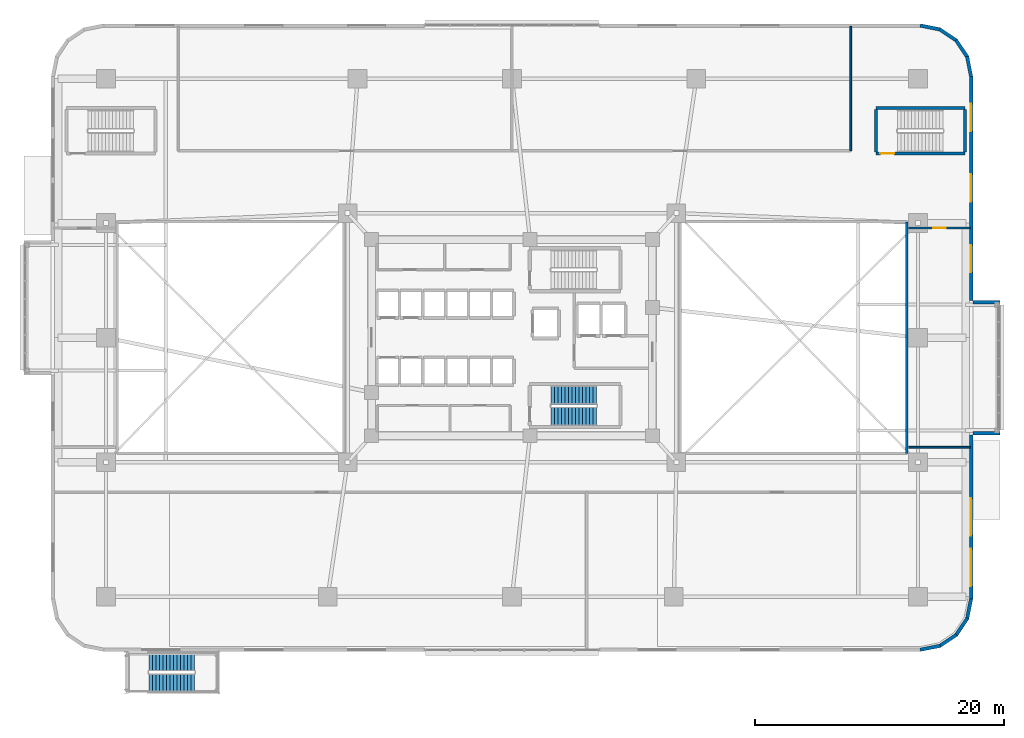
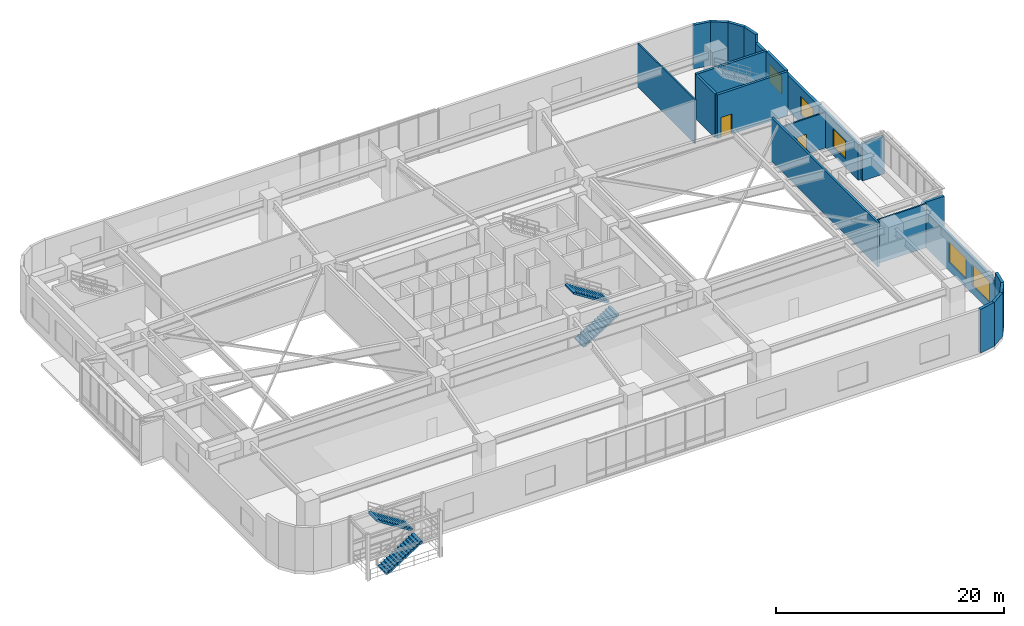
# One storey, part 21 of 26: 20 walls, 5 windows, 4 stair flights, 2 doors, 7 openings, 2 elements without a shape of their own.
"""IFC4 building model written with IfcOpenShell, lengths in metres."""

from ifc_helpers import new_model, si_unit, direction, frame, frame_2d, origin, place, context, subcontext, project, spatial, polyline, rectangle, outline, extrude, material, layer, layer_set, type_object, element, fill, aggregate, save


model = new_model("IFC4")

# Units and contexts
model_context = context("Model", 3, precision=1e-05, world=origin(), true_north=direction((0.0, 1.0)))
body_context = subcontext(model_context, "Body", "Model", "MODEL_VIEW")
ifc_project = project(units=[si_unit("LENGTHUNIT", "METRE"), si_unit("AREAUNIT", "SQUARE_METRE"), si_unit("VOLUMEUNIT", "CUBIC_METRE"), si_unit("PLANEANGLEUNIT", "RADIAN"), si_unit("MASSUNIT", "GRAM", prefix="KILO")], contexts=[model_context])

# Site, building, storey
site_placement = place(None, origin())
site = spatial("IfcSite", under=ifc_project, at=site_placement, CompositionType="ELEMENT")
building_placement = place(site_placement, origin())
building = spatial("IfcBuilding", under=site, at=building_placement, Name="Zulverin Broadcast Headquarters", CompositionType="ELEMENT")
storey_placement = place(building_placement, frame((0.0, 0.0, 15.0)))
storey = spatial("IfcBuildingStorey", under=building, at=storey_placement, Name="L03", CompositionType="ELEMENT", Elevation=15.0)

# Wall
ifc_material_1 = material(Name="Acoustic drywall steel stud", Category="steel")
ifc_layer_1 = layer(ifc_material_1, 0.199951171875, Name="Acoustic drywall steel stud", Category="steel")
ifc_layer_set_1 = layer_set([ifc_layer_1], Name="Acoustic drywall steel stud")
wall_type_1 = type_object("IfcWallType", Name="WL-ACOU-200", PredefinedType="PARTITIONING", material=ifc_layer_set_1)
wall_1_placement = place(storey_placement, frame((68.699951171875, 15.89990234375, 0.0), z_axis=(0.0, 0.0, 1.0), x_axis=(0.0, 1.0, 0.0)))
element("IfcWall", 1, at=wall_1_placement, inside=storey, type_object=wall_type_1, Name="L03 EAST Studio Void E Wall", PredefinedType="PARTITIONING", context=body_context, shape_type="SweptSolid", body=[
    extrude(rectangle(XDim=18.60009765625, YDim=0.199951171875, at=frame_2d((9.300048828125, 0.0))), origin(), (0.0, 0.0, 1.0), 4.679931640625),
])

# Wall, openings, windows
ifc_material_2 = material(Name="Insulated pale-metal clad concrete spandrel C40/50", Category="concrete")
ifc_layer_2 = layer(ifc_material_2, 0.280029296875, Name="Insulated pale-metal clad concrete spandrel C40/50", Category="concrete")
ifc_layer_set_2 = layer_set([ifc_layer_2], Name="Insulated pale-metal clad concrete spandrel C40/50")
wall_type_2 = type_object("IfcWallType", Name="WL-EXT-280", PredefinedType="STANDARD", material=ifc_layer_set_2)
wall_2_placement = place(storey_placement, frame((73.860107421875, 4.199951171875, 0.0), z_axis=(0.0, 0.0, 1.0), x_axis=(0.0, 1.0, 0.0)))
wall_2 = element("IfcWall", 2, at=wall_2_placement, inside=storey, type_object=wall_type_2, Name="L03 Podium Spandrel Wall 1-1", PredefinedType="STANDARD", context=body_context, shape_type="SweptSolid", body=[
    extrude(rectangle(XDim=13.199951171875, YDim=0.280029296875, at=frame_2d((6.60009765625, 0.0))), origin(), (0.0, 0.0, 1.0), 3.780029296875),
])
opening_1_placement = place(wall_2_placement, frame((1.033203125, 0.0, 0.89990234375)))
opening_1 = element("IfcOpeningElement", 3, at=opening_1_placement, cuts=wall_2, Name="Opening W-L03-E1S11", PredefinedType="OPENING", context=body_context, shape_type="SweptSolid", body=[
    extrude(rectangle(XDim=3.0, YDim=2.199951171875, at=frame_2d((1.5, 1.10009765625))), frame((0.0, 0.14990234375, 0.0), z_axis=(0.0, -1.0, 0.0), x_axis=(1.0, 0.0, 0.0)), (0.0, 0.0, 1.0), 0.300048828125),
])
opening_2_placement = place(wall_2_placement, frame((5.10009765625, 0.0, 0.89990234375)))
opening_2 = element("IfcOpeningElement", 4, at=opening_2_placement, cuts=wall_2, Name="Opening W-L03-E1S12", PredefinedType="OPENING", context=body_context, shape_type="SweptSolid", body=[
    extrude(rectangle(XDim=3.0, YDim=2.199951171875, at=frame_2d((1.5, 1.10009765625))), frame((0.0, 0.14990234375, 0.0), z_axis=(0.0, -1.0, 0.0), x_axis=(1.0, 0.0, 0.0)), (0.0, 0.0, 1.0), 0.300048828125),
])
ifc_material_3 = material(Name="Pale anodized aluminium frame with solar-control low-E double glazing", Category="aluminium")
window_type_1 = type_object("IfcWindowType", Name="WIN-POD-3000", PartitioningType="SINGLE_PANEL", PredefinedType="WINDOW", material=ifc_material_3)
window_1_placement = place(opening_1_placement, origin())
window_1 = element("IfcWindow", 5, at=window_1_placement, inside=storey, type_object=window_type_1, Name="L03 Podium Ribbon Window 1-1 1", OverallHeight=2.199951171875, OverallWidth=3.0, PartitioningType="SINGLE_PANEL", PredefinedType="WINDOW", context=body_context, shape_type="SweptSolid", body=[
    extrude(rectangle(XDim=3.0, YDim=2.199951171875, at=frame_2d((1.5, 1.10009765625))), frame((0.0, 0.030029296875, 0.0), z_axis=(0.0, -1.0, 0.0), x_axis=(1.0, 0.0, 0.0)), (0.0, 0.0, 1.0), 0.06005859375),
])
fill(opening_1, window_1)
window_2_placement = place(opening_2_placement, origin())
window_2 = element("IfcWindow", 6, at=window_2_placement, inside=storey, type_object=window_type_1, Name="L03 Podium Ribbon Window 1-1 2", OverallHeight=2.199951171875, OverallWidth=3.0, PartitioningType="SINGLE_PANEL", PredefinedType="WINDOW", context=body_context, shape_type="SweptSolid", body=[
    extrude(rectangle(XDim=3.0, YDim=2.199951171875, at=frame_2d((1.5, 1.10009765625))), frame((0.0, 0.030029296875, 0.0), z_axis=(0.0, -1.0, 0.0), x_axis=(1.0, 0.0, 0.0)), (0.0, 0.0, 1.0), 0.06005859375),
])
fill(opening_2, window_2)

wall_3_placement = place(storey_placement, frame((73.860107421875, 28.199951171875, 0.0), z_axis=(0.0, 0.0, 1.0), x_axis=(0.0, 1.0, 0.0)))
wall_3 = element("IfcWall", 7, at=wall_3_placement, inside=storey, type_object=wall_type_2, Name="L03 Podium Spandrel Wall 1-2", PredefinedType="STANDARD", context=body_context, shape_type="SweptSolid", body=[
    extrude(rectangle(XDim=18.0, YDim=0.280029296875, at=frame_2d((9.0, 0.0))), origin(), (0.0, 0.0, 1.0), 3.780029296875),
])
opening_3_placement = place(wall_3_placement, frame((2.2333984375, 0.0, 0.89990234375)))
opening_3 = element("IfcOpeningElement", 8, at=opening_3_placement, cuts=wall_3, Name="Opening W-L03-E1S21", PredefinedType="OPENING", context=body_context, shape_type="SweptSolid", body=[
    extrude(rectangle(XDim=2.199951171875, YDim=1.949951171875, at=frame_2d((1.10009765625, 0.97509765625))), frame((0.0, 0.14990234375, 0.0), z_axis=(0.0, -1.0, 0.0), x_axis=(1.0, 0.0, 0.0)), (0.0, 0.0, 1.0), 0.300048828125),
])
opening_4_placement = place(wall_3_placement, frame((7.89990234375, 0.0, 0.89990234375)))
opening_4 = element("IfcOpeningElement", 9, at=opening_4_placement, cuts=wall_3, Name="Opening W-L03-E1S22", PredefinedType="OPENING", context=body_context, shape_type="SweptSolid", body=[
    extrude(rectangle(XDim=2.199951171875, YDim=1.949951171875, at=frame_2d((1.10009765625, 0.97509765625))), frame((0.0, 0.14990234375, 0.0), z_axis=(0.0, -1.0, 0.0), x_axis=(1.0, 0.0, 0.0)), (0.0, 0.0, 1.0), 0.300048828125),
])
opening_5_placement = place(wall_3_placement, frame((13.566650390625, 0.0, 0.89990234375)))
opening_5 = element("IfcOpeningElement", 10, at=opening_5_placement, cuts=wall_3, Name="Opening W-L03-E1S23", PredefinedType="OPENING", context=body_context, shape_type="SweptSolid", body=[
    extrude(rectangle(XDim=2.199951171875, YDim=1.949951171875, at=frame_2d((1.10009765625, 0.97509765625))), frame((0.0, 0.14990234375, 0.0), z_axis=(0.0, -1.0, 0.0), x_axis=(1.0, 0.0, 0.0)), (0.0, 0.0, 1.0), 0.300048828125),
])
window_type_2 = type_object("IfcWindowType", Name="WIN-POD-2200", PartitioningType="SINGLE_PANEL", PredefinedType="WINDOW", material=ifc_material_3)
window_3_placement = place(opening_3_placement, origin())
window_3 = element("IfcWindow", 11, at=window_3_placement, inside=storey, type_object=window_type_2, Name="L03 Podium Ribbon Window 1-2 1", OverallHeight=1.949951171875, OverallWidth=2.199951171875, PartitioningType="SINGLE_PANEL", PredefinedType="WINDOW", context=body_context, shape_type="SweptSolid", body=[
    extrude(rectangle(XDim=2.199951171875, YDim=1.949951171875, at=frame_2d((1.10009765625, 0.97509765625))), frame((0.0, 0.030029296875, 0.0), z_axis=(0.0, -1.0, 0.0), x_axis=(1.0, 0.0, 0.0)), (0.0, 0.0, 1.0), 0.06005859375),
])
fill(opening_3, window_3)
window_4_placement = place(opening_4_placement, origin())
window_4 = element("IfcWindow", 12, at=window_4_placement, inside=storey, type_object=window_type_2, Name="L03 Podium Ribbon Window 1-2 2", OverallHeight=1.949951171875, OverallWidth=2.199951171875, PartitioningType="SINGLE_PANEL", PredefinedType="WINDOW", context=body_context, shape_type="SweptSolid", body=[
    extrude(rectangle(XDim=2.199951171875, YDim=1.949951171875, at=frame_2d((1.10009765625, 0.97509765625))), frame((0.0, 0.030029296875, 0.0), z_axis=(0.0, -1.0, 0.0), x_axis=(1.0, 0.0, 0.0)), (0.0, 0.0, 1.0), 0.06005859375),
])
fill(opening_4, window_4)
window_5_placement = place(opening_5_placement, origin())
window_5 = element("IfcWindow", 13, at=window_5_placement, inside=storey, type_object=window_type_2, Name="L03 Podium Ribbon Window 1-2 3", OverallHeight=1.949951171875, OverallWidth=2.199951171875, PartitioningType="SINGLE_PANEL", PredefinedType="WINDOW", context=body_context, shape_type="SweptSolid", body=[
    extrude(rectangle(XDim=2.199951171875, YDim=1.949951171875, at=frame_2d((1.10009765625, 0.97509765625))), frame((0.0, 0.030029296875, 0.0), z_axis=(0.0, -1.0, 0.0), x_axis=(1.0, 0.0, 0.0)), (0.0, 0.0, 1.0), 0.06005859375),
])
fill(opening_5, window_5)

# Walls
for number, where, z_axis, x_axis, name in (
    (14, (73.86279296875, 46.172607421875, 0.0), (0.0, 0.0, 1.0), (-0.195142046967, 0.980774990253, 0.0), "L03 Wind-Shaped Corner Spandrel Wall 1-1"),
    (15, (73.56396484375, 47.7294921875, 0.0), (0.0, 0.0, 1.0), (-0.555662407875, 0.831408015643, 0.0), "L03 Wind-Shaped Corner Spandrel Wall 1-2"),
):
    element("IfcWall", number, at=place(storey_placement, frame(where, z_axis=z_axis, x_axis=x_axis)), inside=storey, type_object=wall_type_2, Name=name, PredefinedType="STANDARD", context=body_context, shape_type="SweptSolid", body=[
        extrude(rectangle(XDim=1.638916015625, YDim=0.280029296875, at=frame_2d((0.8193359375, 0.0))), origin(), (0.0, 0.0, 1.0), 4.679931640625),
    ])
wall_4_placement = place(storey_placement, frame((72.69189453125, 49.053466796875, 0.0), z_axis=(0.0, 0.0, 1.0), x_axis=(-0.831430845238, 0.555628247651, 0.0)))
element("IfcWall", 16, at=wall_4_placement, inside=storey, type_object=wall_type_2, Name="L03 Wind-Shaped Corner Spandrel Wall 1-3", PredefinedType="STANDARD", context=body_context, shape_type="SweptSolid", body=[
    extrude(rectangle(XDim=1.638427734375, YDim=0.280029296875, at=frame_2d((0.8193359375, 0.0))), origin(), (0.0, 0.0, 1.0), 4.679931640625),
])
for number, where, z_axis, x_axis, name in (
    (17, (71.3798828125, 49.943115234375, 0.0), (0.0, 0.0, 1.0), (-0.980797825116, 0.195027244885, 0.0), "L03 Wind-Shaped Corner Spandrel Wall 1-4"),
    (18, (69.772705078125, 0.13720703125, 0.0), (0.0, 0.0, 1.0), (0.980769316421, 0.19517056122, 0.0), "L03 Wind-Shaped Corner Spandrel Wall 4-1"),
    (19, (71.32958984375, 0.43603515625, 0.0), (0.0, 0.0, 1.0), (0.831362010656, 0.555731236514, 0.0), "L03 Wind-Shaped Corner Spandrel Wall 4-2"),
    (20, (72.6533203125, 1.30810546875, 0.0), (0.0, 0.0, 1.0), (0.555731236514, 0.831362010656, 0.0), "L03 Wind-Shaped Corner Spandrel Wall 4-3"),
    (21, (73.54296875, 2.6201171875, 0.0), (0.0, 0.0, 1.0), (0.19517056122, 0.980769316421, 0.0), "L03 Wind-Shaped Corner Spandrel Wall 4-4"),
):
    element("IfcWall", number, at=place(storey_placement, frame(where, z_axis=z_axis, x_axis=x_axis)), inside=storey, type_object=wall_type_2, Name=name, PredefinedType="STANDARD", context=body_context, shape_type="SweptSolid", body=[
        extrude(rectangle(XDim=1.638671875, YDim=0.280029296875, at=frame_2d((0.8193359375, 0.0))), origin(), (0.0, 0.0, 1.0), 4.679931640625),
    ])
for number, where, z_axis, x_axis, name in (
    (22, (74.0, 17.5400390625, 0.0), (0.0, 0.0, 1.0), (1.0, 0.0, 0.0), "L03 Shifted Studio Box Cheek Wall SBOX_POD_UPPER_E1-S"),
    (23, (74.0, 28.06005859375, 0.0), (0.0, 0.0, 1.0), (1.0, 0.0, 0.0), "L03 Shifted Studio Box Cheek Wall SBOX_POD_UPPER_E1-N"),
):
    element("IfcWall", number, at=place(storey_placement, frame(where, z_axis=z_axis, x_axis=x_axis)), inside=storey, type_object=wall_type_2, Name=name, PredefinedType="STANDARD", context=body_context, shape_type="SweptSolid", body=[
        extrude(rectangle(XDim=2.199951171875, YDim=0.280029296875, at=frame_2d((1.10009765625, 0.0))), origin(), (0.0, 0.0, 1.0), 3.987060546875),
    ])
ifc_material_4 = material(Name="Fire-rated gypsum stud partition", Category="gypsum")
ifc_layer_3 = layer(ifc_material_4, 0.14990234375, Name="Fire-rated gypsum stud partition", Category="gypsum")
ifc_layer_set_3 = layer_set([ifc_layer_3], Name="Fire-rated gypsum stud partition")
wall_type_3 = type_object("IfcWallType", Name="WL-PART-150", PredefinedType="PARTITIONING", material=ifc_layer_set_3)
wall_5_placement = place(storey_placement, frame((64.199951171875, 40.199951171875, 0.0), z_axis=(0.0, 0.0, 1.0), x_axis=(0.0, 1.0, 0.0)))
element("IfcWall", 24, at=wall_5_placement, inside=storey, type_object=wall_type_3, Name="L03 Gallery Partition Wall CG-02", PredefinedType="PARTITIONING", context=body_context, shape_type="SweptSolid", body=[
    extrude(rectangle(XDim=9.9951171875, YDim=0.14990234375, at=frame_2d((4.99755859375, 0.0))), origin(), (0.0, 0.0, 1.0), 4.679931640625),
])
wall_6_placement = place(storey_placement, frame((68.85009765625, 16.39990234375, 0.0), z_axis=(0.0, 0.0, 1.0), x_axis=(1.0, 0.0, 0.0)))
element("IfcWall", 25, at=wall_6_placement, inside=storey, type_object=wall_type_3, Name="L03 Gallery Partition Wall CG-09", PredefinedType="PARTITIONING", context=body_context, shape_type="SweptSolid", body=[
    extrude(rectangle(XDim=4.94482421875, YDim=0.14990234375, at=frame_2d((2.472412109375, 0.0))), origin(), (0.0, 0.0, 1.0), 4.679931640625),
])

# Wall, opening, door
wall_7_placement = place(storey_placement, frame((68.85009765625, 34.0, 0.0), z_axis=(0.0, 0.0, 1.0), x_axis=(1.0, 0.0, 0.0)))
wall_7 = element("IfcWall", 26, at=wall_7_placement, inside=storey, type_object=wall_type_3, Name="L03 Gallery Partition Wall CG-11", PredefinedType="PARTITIONING", context=body_context, shape_type="SweptSolid", body=[
    extrude(rectangle(XDim=4.94482421875, YDim=0.14990234375, at=frame_2d((2.472412109375, 0.0))), origin(), (0.0, 0.0, 1.0), 3.780029296875),
])
opening_6_placement = place(wall_7_placement, frame((1.972412109375, 0.0, 0.0)))
opening_6 = element("IfcOpeningElement", 27, at=opening_6_placement, cuts=wall_7, Name="Opening D-L03-GALE", PredefinedType="OPENING", context=body_context, shape_type="SweptSolid", body=[
    extrude(rectangle(XDim=1.0, YDim=2.1201171875, at=frame_2d((0.5, 1.06005859375))), frame((0.0, 0.0849609375, 0.0), z_axis=(0.0, -1.0, 0.0), x_axis=(1.0, 0.0, 0.0)), (0.0, 0.0, 1.0), 0.169921875),
])
ifc_material_5 = material(Name="Hardwood veneer acoustic leaf", Category="wood")
door_type_1 = type_object("IfcDoorType", Name="DR-OFF-1000", OperationType="SINGLE_SWING_LEFT", PredefinedType="DOOR", material=ifc_material_5)
door_1_placement = place(opening_6_placement, origin())
door_1 = element("IfcDoor", 28, at=door_1_placement, inside=storey, type_object=door_type_1, Name="L03 East Studio Control Gallery Door", OperationType="SINGLE_SWING_RIGHT", OverallHeight=2.1201171875, OverallWidth=1.0, PredefinedType="DOOR", context=body_context, shape_type="SweptSolid", body=[
    extrude(rectangle(XDim=1.0, YDim=2.1201171875, at=frame_2d((0.5, 1.06005859375))), frame((0.0, 0.02490234375, 0.0), z_axis=(0.0, -1.0, 0.0), x_axis=(1.0, 0.0, 0.0)), (0.0, 0.0, 1.0), 0.050048828125),
])
fill(opening_6, door_1)

ifc_material_6 = material(Name="Concrete C50/60", Category="concrete")
ifc_layer_4 = layer(ifc_material_6, 0.25, Name="Concrete C50/60", Category="concrete")
ifc_layer_set_4 = layer_set([ifc_layer_4], Name="Concrete C50/60")
wall_type_4 = type_object("IfcWallType", Name="WL-SHAFT-250", PredefinedType="SHEAR", material=ifc_layer_set_4)
wall_8_placement = place(storey_placement, frame((66.22509765625, 39.97509765625, 0.0), z_axis=(0.0, 0.0, 1.0), x_axis=(1.0, 0.0, 0.0)))
wall_8 = element("IfcWall", 29, at=wall_8_placement, inside=storey, type_object=wall_type_4, Name="L03 ST-4 Enclosure Wall S", PredefinedType="SHEAR", context=body_context, shape_type="SweptSolid", body=[
    extrude(rectangle(XDim=7.14990234375, YDim=0.25, at=frame_2d((3.574951171875, 0.0))), origin(), (0.0, 0.0, 1.0), 4.679931640625),
])
opening_7_placement = place(wall_8_placement, frame((0.35009765625, 0.0, 0.0)))
opening_7 = element("IfcOpeningElement", 30, at=opening_7_placement, cuts=wall_8, Name="Opening D-L03-ST-4", PredefinedType="OPENING", context=body_context, shape_type="SweptSolid", body=[
    extrude(rectangle(XDim=1.10009765625, YDim=2.14990234375, at=frame_2d((0.550048828125, 1.074951171875))), frame((0.0, 0.135009765625, 0.0), z_axis=(0.0, -1.0, 0.0), x_axis=(1.0, 0.0, 0.0)), (0.0, 0.0, 1.0), 0.27001953125),
])
ifc_material_7 = material(Name="Fire-rated steel leaf and frame", Category="steel")
door_type_2 = type_object("IfcDoorType", Name="DR-STAIR-1100", OperationType="SINGLE_SWING_LEFT", PredefinedType="DOOR", material=ifc_material_7)
door_2_placement = place(opening_7_placement, origin())
door_2 = element("IfcDoor", 31, at=door_2_placement, inside=storey, type_object=door_type_2, Name="L03 Exit Stair ST-4 Fire Door", OperationType="SINGLE_SWING_RIGHT", OverallHeight=2.14990234375, OverallWidth=1.10009765625, PredefinedType="DOOR", context=body_context, shape_type="SweptSolid", body=[
    extrude(rectangle(XDim=1.10009765625, YDim=2.14990234375, at=frame_2d((0.550048828125, 1.074951171875))), frame((0.0, 0.02490234375, 0.0), z_axis=(0.0, -1.0, 0.0), x_axis=(1.0, 0.0, 0.0)), (0.0, 0.0, 1.0), 0.050048828125),
])
fill(opening_7, door_2)

# Walls
wall_9_placement = place(storey_placement, frame((66.22509765625, 43.625, 0.0), z_axis=(0.0, 0.0, 1.0), x_axis=(1.0, 0.0, 0.0)))
element("IfcWall", 32, at=wall_9_placement, inside=storey, type_object=wall_type_4, Name="L03 ST-4 Enclosure Wall N", PredefinedType="SHEAR", context=body_context, shape_type="SweptSolid", body=[
    extrude(rectangle(XDim=7.14990234375, YDim=0.25, at=frame_2d((3.574951171875, 0.0))), origin(), (0.0, 0.0, 1.0), 4.679931640625),
])
for number, where, z_axis, x_axis, name in (
    (33, (66.22509765625, 40.10009765625, 0.0), (0.0, 0.0, 1.0), (0.0, 1.0, 0.0), "L03 ST-4 Enclosure Wall W"),
    (34, (73.375, 40.10009765625, 0.0), (0.0, 0.0, 1.0), (0.0, 1.0, 0.0), "L03 ST-4 Enclosure Wall E"),
):
    element("IfcWall", number, at=place(storey_placement, frame(where, z_axis=z_axis, x_axis=x_axis)), inside=storey, type_object=wall_type_4, Name=name, PredefinedType="SHEAR", context=body_context, shape_type="SweptSolid", body=[
        extrude(rectangle(XDim=3.39990234375, YDim=0.25, at=frame_2d((1.699951171875, 0.0))), origin(), (0.0, 0.0, 1.0), 4.679931640625),
    ])

# Stair, stair flights
ifc_material_8 = material(Name="Concrete C40/50", Category="concrete")
stair_type_1 = type_object("IfcStairType", Name="ST-CORE-1500", PredefinedType="HALF_TURN_STAIR", material=ifc_material_8)
stair_1_placement = place(storey_placement, origin())
stair_1 = element("IfcStair", 35, at=stair_1_placement, inside=storey, type_object=stair_type_1, Name="L03 Core Exit Stair ST-2", PredefinedType="HALF_TURN_STAIR")
stair_flight_type_1 = type_object("IfcStairFlightType", Name="SF-CORE-1500", PredefinedType="STRAIGHT", material=ifc_material_8)
stair_flight_1_placement = place(storey_placement, frame((40.1298828125, 18.89990234375, 0.0), z_axis=(0.0, 0.0, 1.0), x_axis=(1.0, 0.0, 0.0)))
stair_flight_1 = element("IfcStairFlight", 36, at=stair_flight_1_placement, type_object=stair_flight_type_1, Name="ST-2 flight 1", NumberOfRisers=14, NumberOfTreads=13, PredefinedType="STRAIGHT", RiserHeight=0.178571429, TreadLength=0.28, context=body_context, shape_type="SweptSolid", body=[
    extrude(outline(polyline([(0.0, 0.0), (0.0, 0.178466796875), (0.280029296875, 0.178466796875), (0.280029296875, 0.357177734375), (0.56005859375, 0.357177734375), (0.56005859375, 0.53564453125), (0.840087890625, 0.53564453125), (0.840087890625, 0.71435546875), (1.1201171875, 0.71435546875), (1.1201171875, 0.892822265625), (1.39990234375, 0.892822265625), (1.39990234375, 1.071533203125), (1.679931640625, 1.071533203125), (1.679931640625, 1.25), (1.9599609375, 1.25), (1.9599609375, 1.428466796875), (2.239990234375, 1.428466796875), (2.239990234375, 1.607177734375), (2.52001953125, 1.607177734375), (2.52001953125, 1.78564453125), (2.800048828125, 1.78564453125), (2.800048828125, 1.96435546875), (3.080078125, 1.96435546875), (3.080078125, 2.142822265625), (3.360107421875, 2.142822265625), (3.360107421875, 2.321533203125), (3.639892578125, 2.321533203125), (3.639892578125, 2.5), (3.639892578125, 2.1435546875), (0.27880859375, 0.0), (0.0, 0.0)])), frame((0.0, 0.75, 0.0), z_axis=(0.0, -1.0, 0.0), x_axis=(1.0, 0.0, 0.0)), (0.0, 0.0, 1.0), 1.5),
])
stair_flight_2_placement = place(storey_placement, frame((43.77001953125, 20.60009765625, 2.5), z_axis=(0.0, 0.0, 1.0), x_axis=(-1.0, 0.0, 0.0)))
stair_flight_2 = element("IfcStairFlight", 37, at=stair_flight_2_placement, type_object=stair_flight_type_1, Name="ST-2 flight 2", NumberOfRisers=14, NumberOfTreads=13, PredefinedType="STRAIGHT", RiserHeight=0.178571429, TreadLength=0.28, context=body_context, shape_type="SweptSolid", body=[
    extrude(outline(polyline([(0.0, 0.0), (0.0, 0.178466796875), (0.280029296875, 0.178466796875), (0.280029296875, 0.357177734375), (0.56005859375, 0.357177734375), (0.56005859375, 0.53564453125), (0.840087890625, 0.53564453125), (0.840087890625, 0.71435546875), (1.1201171875, 0.71435546875), (1.1201171875, 0.892822265625), (1.39990234375, 0.892822265625), (1.39990234375, 1.071533203125), (1.679931640625, 1.071533203125), (1.679931640625, 1.25), (1.9599609375, 1.25), (1.9599609375, 1.428466796875), (2.239990234375, 1.428466796875), (2.239990234375, 1.607177734375), (2.52001953125, 1.607177734375), (2.52001953125, 1.78564453125), (2.800048828125, 1.78564453125), (2.800048828125, 1.96435546875), (3.080078125, 1.96435546875), (3.080078125, 2.142822265625), (3.360107421875, 2.142822265625), (3.360107421875, 2.321533203125), (3.639892578125, 2.321533203125), (3.639892578125, 2.5), (3.639892578125, 2.1435546875), (0.27880859375, 0.0), (0.0, 0.0)])), frame((0.0, 0.75, 0.0), z_axis=(0.0, -1.0, 0.0), x_axis=(1.0, 0.0, 0.0)), (0.0, 0.0, 1.0), 1.5),
])
aggregate(stair_1, [stair_flight_1, stair_flight_2])

stair_type_2 = type_object("IfcStairType", Name="ST-GDN-1500", PredefinedType="HALF_TURN_STAIR", material=ifc_material_8)
stair_2_placement = place(storey_placement, origin())
stair_2 = element("IfcStair", 38, at=stair_2_placement, inside=storey, type_object=stair_type_2, Name="L03 Exterior Public Garden Stair ST-5", PredefinedType="HALF_TURN_STAIR")
stair_flight_type_2 = type_object("IfcStairFlightType", Name="SF-GDN-1500", PredefinedType="STRAIGHT", material=ifc_material_8)
stair_flight_3_placement = place(storey_placement, frame((7.85009765625, -2.530029296875, 0.0), z_axis=(0.0, 0.0, 1.0), x_axis=(1.0, 0.0, 0.0)))
stair_flight_3 = element("IfcStairFlight", 39, at=stair_flight_3_placement, type_object=stair_flight_type_2, Name="ST-5 flight 1", NumberOfRisers=14, NumberOfTreads=13, PredefinedType="STRAIGHT", RiserHeight=0.178571429, TreadLength=0.28, context=body_context, shape_type="SweptSolid", body=[
    extrude(outline(polyline([(0.0, 0.0), (0.0, 0.178466796875), (0.280029296875, 0.178466796875), (0.280029296875, 0.357177734375), (0.56005859375, 0.357177734375), (0.56005859375, 0.53564453125), (0.840087890625, 0.53564453125), (0.840087890625, 0.71435546875), (1.1201171875, 0.71435546875), (1.1201171875, 0.892822265625), (1.39990234375, 0.892822265625), (1.39990234375, 1.071533203125), (1.679931640625, 1.071533203125), (1.679931640625, 1.25), (1.9599609375, 1.25), (1.9599609375, 1.428466796875), (2.239990234375, 1.428466796875), (2.239990234375, 1.607177734375), (2.52001953125, 1.607177734375), (2.52001953125, 1.78564453125), (2.800048828125, 1.78564453125), (2.800048828125, 1.96435546875), (3.080078125, 1.96435546875), (3.080078125, 2.142822265625), (3.360107421875, 2.142822265625), (3.360107421875, 2.321533203125), (3.639892578125, 2.321533203125), (3.639892578125, 2.5), (3.639892578125, 2.1435546875), (0.27880859375, 0.0), (0.0, 0.0)])), frame((0.0, 0.75, 0.0), z_axis=(0.0, -1.0, 0.0), x_axis=(1.0, 0.0, 0.0)), (0.0, 0.0, 1.0), 1.5),
])
stair_flight_4_placement = place(storey_placement, frame((11.489990234375, -0.830078125, 2.5), z_axis=(0.0, 0.0, 1.0), x_axis=(-1.0, 0.0, 0.0)))
stair_flight_4 = element("IfcStairFlight", 40, at=stair_flight_4_placement, type_object=stair_flight_type_2, Name="ST-5 flight 2", NumberOfRisers=14, NumberOfTreads=13, PredefinedType="STRAIGHT", RiserHeight=0.178571429, TreadLength=0.28, context=body_context, shape_type="SweptSolid", body=[
    extrude(outline(polyline([(0.0, 0.0), (0.0, 0.178466796875), (0.280029296875, 0.178466796875), (0.280029296875, 0.357177734375), (0.56005859375, 0.357177734375), (0.56005859375, 0.53564453125), (0.840087890625, 0.53564453125), (0.840087890625, 0.71435546875), (1.1201171875, 0.71435546875), (1.1201171875, 0.892822265625), (1.39990234375, 0.892822265625), (1.39990234375, 1.071533203125), (1.679931640625, 1.071533203125), (1.679931640625, 1.25), (1.9599609375, 1.25), (1.9599609375, 1.428466796875), (2.239990234375, 1.428466796875), (2.239990234375, 1.607177734375), (2.52001953125, 1.607177734375), (2.52001953125, 1.78564453125), (2.800048828125, 1.78564453125), (2.800048828125, 1.96435546875), (3.080078125, 1.96435546875), (3.080078125, 2.142822265625), (3.360107421875, 2.142822265625), (3.360107421875, 2.321533203125), (3.639892578125, 2.321533203125), (3.639892578125, 2.5), (3.639892578125, 2.1435546875), (0.27880859375, 0.0), (0.0, 0.0)])), frame((0.0, 0.75, 0.0), z_axis=(0.0, -1.0, 0.0), x_axis=(1.0, 0.0, 0.0)), (0.0, 0.0, 1.0), 1.5),
])
aggregate(stair_2, [stair_flight_3, stair_flight_4])

save(model, "model.ifc")
